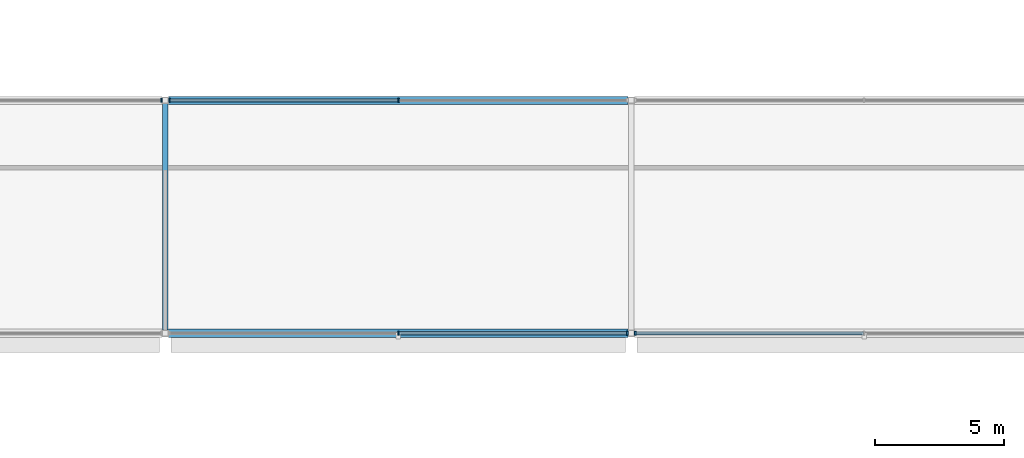
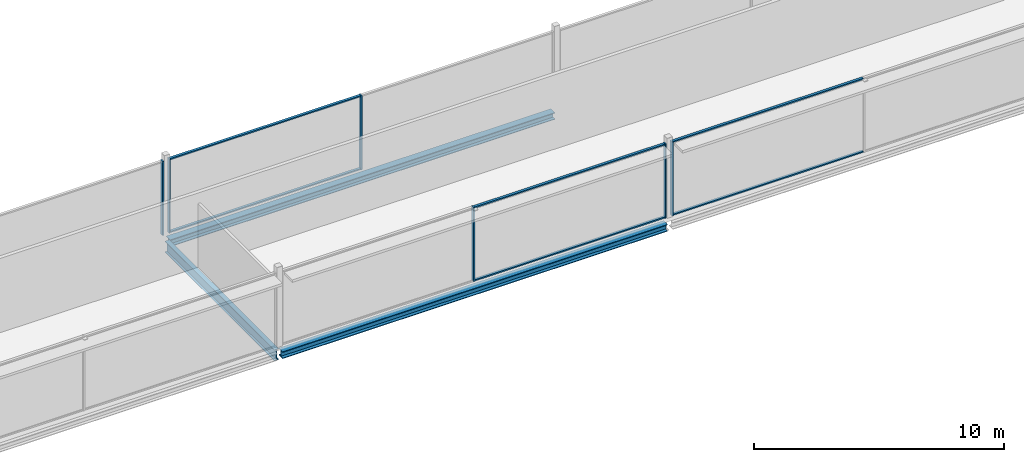
# One storey, part 37 of 98: 12 members, 3 beams, 4 elements without a shape of their own.
"""IFC4 building model written with IfcOpenShell, lengths in metres."""

import ifcopenshell
import ifcopenshell.guid

model = None  # the IFC model being written
_history = None  # IfcOwnerHistory: only IFC2X3 demands one
_inside = {}  # id of a spatial element -> (the spatial element, [elements in it])
_under = {}  # id of a project, library or spatial element -> (it, [spatial elements below it])
_declared = {}  # id of a project -> (the project, [libraries it declares])
_typed = {}  # id of a type object -> (the type object, [elements of that type])
_made_of = {}  # id of a material, layer set ... -> (it, [elements and type objects made of it])


def new_model(schema):
    """Start an empty IFC model of exactly this schema.

    Asked for "IFC4X3", IfcOpenShell would pick the latest addendum, in which some entities
    have other attributes; the version numbers below select the first issue.
    IFC2X3 requires an IfcOwnerHistory on every rooted entity: one is made here for all.
    """
    global model, _history
    if schema == "IFC4X3":
        model = ifcopenshell.file(schema_version=(4, 3, 0, 0))
    else:
        model = ifcopenshell.file(schema=schema)
    _inside.clear()
    _under.clear()
    _declared.clear()
    _typed.clear()
    _made_of.clear()
    _history = None
    if model.schema == "IFC2X3":
        org = make("IfcOrganization", Name="unknown")
        user = make(
            "IfcPersonAndOrganization",
            ThePerson=make("IfcPerson", FamilyName="unknown"),
            TheOrganization=org,
        )
        app = make(
            "IfcApplication",
            ApplicationDeveloper=org,
            Version="unknown",
            ApplicationFullName="unknown",
            ApplicationIdentifier="unknown",
        )
        _history = make(
            "IfcOwnerHistory",
            OwningUser=user,
            OwningApplication=app,
            ChangeAction="ADDED",
            CreationDate=0,
        )
    return model


def make(cls, **values):
    """One entity of the class cls with the attributes given. An attribute that is None is left unset."""
    return model.create_entity(
        cls, **{name: value for name, value in values.items() if value is not None}
    )


def rooted(cls, **values):
    """An entity with a GlobalId (a new one), such as an element, a storey or a relation."""
    return make(cls, GlobalId=ifcopenshell.guid.new(), OwnerHistory=_history, **values)


def si_unit(unit_type, name, prefix=None):
    """IfcSIUnit, for example si_unit("LENGTHUNIT", "METRE", prefix="MILLI")."""
    return make("IfcSIUnit", UnitType=unit_type, Prefix=prefix, Name=name)


def assignment(units):
    """IfcUnitAssignment: the units of a project."""
    return None if units is None else make("IfcUnitAssignment", Units=units)


def point(xyz):
    """IfcCartesianPoint."""
    return None if xyz is None else make("IfcCartesianPoint", Coordinates=xyz)


def direction(xyz):
    """IfcDirection."""
    return None if xyz is None else make("IfcDirection", DirectionRatios=xyz)


def frame(location, z_axis=None, x_axis=None):
    """IfcAxis2Placement3D, a coordinate frame: its origin and axes. An axis left out is left unset."""
    return make(
        "IfcAxis2Placement3D",
        Location=point(location),
        Axis=direction(z_axis),
        RefDirection=direction(x_axis),
    )


def frame_2d(location, x_axis=None):
    """IfcAxis2Placement2D, a coordinate frame in the plane: its origin and x axis."""
    return make(
        "IfcAxis2Placement2D", Location=point(location), RefDirection=direction(x_axis)
    )


def origin():
    """The frame at (0, 0, 0) with its axes left unset."""
    return frame((0.0, 0.0, 0.0))


def origin_2d():
    """The frame at (0, 0) in the plane with its x axis left unset."""
    return frame_2d((0.0, 0.0))


def place(relative_to, where):
    """IfcLocalPlacement: puts the frame where relative to a parent placement (None: the world)."""
    return make(
        "IfcLocalPlacement", PlacementRelTo=relative_to, RelativePlacement=where
    )


def context(
    kind, dimensions, precision=None, world=None, true_north=None, identifier=None
):
    """IfcGeometricRepresentationContext, for example the 3D "Model" context."""
    return make(
        "IfcGeometricRepresentationContext",
        ContextIdentifier=identifier,
        ContextType=kind,
        CoordinateSpaceDimension=dimensions,
        Precision=precision,
        WorldCoordinateSystem=world,
        TrueNorth=true_north,
    )


def subcontext(parent, identifier, kind, view, scale=None):
    """IfcGeometricRepresentationSubContext, for example "Body" below "Model"."""
    return make(
        "IfcGeometricRepresentationSubContext",
        ContextIdentifier=identifier,
        ContextType=kind,
        ParentContext=parent,
        TargetScale=scale,
        TargetView=view,
    )


def project(units=None, contexts=None):
    """IfcProject with its units and contexts."""
    return rooted(
        "IfcProject",
        Name="project",
        RepresentationContexts=contexts,
        UnitsInContext=assignment(units),
    )


def spatial(cls, under=None, at=None, **own):
    """A site, building, storey or space (cls), placed at a placement, below another one or the project."""
    s = rooted(cls, ObjectPlacement=at, **own)
    if under is not None:
        _under.setdefault(under.id(), (under, []))[1].append(s)
    return s


def profile(cls, at=None, kind="AREA", **sizes):
    """A parametric profile (cls). Its sizes go by their IFC names, for example OverallWidth=200.0."""
    return make(cls, ProfileType=kind, Position=at, **sizes)


def rectangle(**sizes):
    """IfcRectangleProfileDef."""
    return profile("IfcRectangleProfileDef", **sizes)


def i_section(**sizes):
    """IfcIShapeProfileDef."""
    return profile("IfcIShapeProfileDef", **sizes)


def extrude(swept, where, along, depth):
    """IfcExtrudedAreaSolid: the profile swept, set in the frame where, extruded along a direction by depth."""
    return make(
        "IfcExtrudedAreaSolid",
        SweptArea=swept,
        Position=where,
        ExtrudedDirection=direction(along),
        Depth=depth,
    )


def shape(context_of_items, identifier, shape_type, items):
    """IfcShapeRepresentation: the items that make up one representation, for example the "Body"."""
    return make(
        "IfcShapeRepresentation",
        ContextOfItems=context_of_items,
        RepresentationIdentifier=identifier,
        RepresentationType=shape_type,
        Items=items,
    )


def material(Name=None, Category=None):
    """IfcMaterial."""
    return make("IfcMaterial", Name=Name, Category=Category)


def layer(
    of_material, thickness, ventilated=None, Name=None, Category=None, Priority=None
):
    """IfcMaterialLayer: one layer of a wall or slab, of a material (None: an air gap)."""
    return make(
        "IfcMaterialLayer",
        Material=of_material,
        LayerThickness=thickness,
        IsVentilated=ventilated,
        Name=Name,
        Category=Category,
        Priority=Priority,
    )


def layer_set(layers, Name=None):
    """IfcMaterialLayerSet."""
    return make("IfcMaterialLayerSet", MaterialLayers=layers, LayerSetName=Name)


def material_profile(
    of_material, cross_section, Name=None, Category=None, Priority=None
):
    """IfcMaterialProfile: a cross section and its material."""
    return make(
        "IfcMaterialProfile",
        Name=Name,
        Material=of_material,
        Profile=cross_section,
        Priority=Priority,
        Category=Category,
    )


def profile_set(profiles, Name=None, composite=None):
    """IfcMaterialProfileSet."""
    return make(
        "IfcMaterialProfileSet",
        Name=Name,
        MaterialProfiles=profiles,
        CompositeProfile=composite,
    )


def made_of(thing, what):
    """Note that an element or type object is made of a material, layer set ...; save() writes the relation."""
    if what is not None:
        _made_of.setdefault(what.id(), (what, []))[1].append(thing)
    return thing


def type_object(cls, material=None, **own):
    """A type object (cls), such as IfcWallType, which elements share."""
    return made_of(rooted(cls, **own), material)


def element(
    cls,
    number,
    at=None,
    inside=None,
    cuts=None,
    type_object=None,
    material=None,
    context=None,
    identifier="Body",
    shape_type=None,
    held_by="IfcProductDefinitionShape",
    body=None,
    shapes=None,
    **own,
):
    """One element of the class cls, such as IfcWall. Its Tag is "e" and its number.

    at: its placement. inside: the storey or other place that contains it. cuts: it is an
    opening in that element (IfcRelVoidsElement). A single representation is given by context,
    identifier, shape_type and body (its items); several are given by shapes. held_by: the class
    of the entity that holds the representations. save() writes the other relations.
    """
    e = rooted(cls, Tag="e%d" % number, ObjectPlacement=at, **own)
    if body is not None:
        shapes = [shape(context, identifier, shape_type, body)]
    if shapes is not None:
        e.Representation = make(held_by, Representations=shapes)
    if inside is not None:
        _inside.setdefault(inside.id(), (inside, []))[1].append(e)
    if cuts is not None:
        rooted(
            "IfcRelVoidsElement", RelatingBuildingElement=cuts, RelatedOpeningElement=e
        )
    if type_object is not None:
        _typed.setdefault(type_object.id(), (type_object, []))[1].append(e)
    return made_of(e, material)


def aggregate(whole, parts):
    """IfcRelAggregates: a whole, such as a stair, and the parts it consists of."""
    return rooted("IfcRelAggregates", RelatingObject=whole, RelatedObjects=parts)


def save(model, path):
    """Write the relations noted so far, then the file.

    IfcRelAggregates (storeys below a building ...), IfcRelContainedInSpatialStructure (elements
    in a storey), IfcRelDefinesByType, IfcRelAssociatesMaterial and IfcRelDeclares: one each for
    every whole, place, type object, material and project.
    """
    for whole, parts in _under.values():
        aggregate(whole, parts)
    for where, things in _inside.values():
        rooted(
            "IfcRelContainedInSpatialStructure",
            RelatedElements=things,
            RelatingStructure=where,
        )
    for kind, things in _typed.values():
        rooted("IfcRelDefinesByType", RelatedObjects=things, RelatingType=kind)
    for what, things in _made_of.values():
        rooted("IfcRelAssociatesMaterial", RelatedObjects=things, RelatingMaterial=what)
    for by, libraries in _declared.values():
        rooted("IfcRelDeclares", RelatingContext=by, RelatedDefinitions=libraries)
    model.write(path)


model = new_model("IFC4")

# Units and contexts
model_context = context("Model", 3, precision=1e-05, world=origin(), true_north=direction((0.0, 1.0)))
body_context = subcontext(model_context, "Body", "Model", "MODEL_VIEW")
ifc_project = project(units=[si_unit("LENGTHUNIT", "METRE"), si_unit("AREAUNIT", "SQUARE_METRE"), si_unit("VOLUMEUNIT", "CUBIC_METRE"), si_unit("PLANEANGLEUNIT", "RADIAN"), si_unit("MASSUNIT", "GRAM", prefix="KILO")], contexts=[model_context])

# Site, building, storey
site_placement = place(None, origin())
site = spatial("IfcSite", under=ifc_project, at=site_placement, CompositionType="ELEMENT")
building_placement = place(site_placement, origin())
building = spatial("IfcBuilding", under=site, at=building_placement, Name="Kisiwana Market Hall", CompositionType="ELEMENT")
storey_placement = place(building_placement, frame((0.0, 0.0, 29.39990234375)))
storey = spatial("IfcBuildingStorey", under=building, at=storey_placement, Name="L06", CompositionType="ELEMENT", Elevation=29.39990234375)

# Beams
ifc_material_1 = material(Name="Steel S355", Category="steel")
ifc_material_profile_1 = material_profile(ifc_material_1, i_section(OverallWidth=0.209228515625, OverallDepth=0.533203125, WebThickness=0.010009765625, FlangeThickness=0.015625, at=origin_2d()), Name="UB 533x210x92")
ifc_profile_set_1 = profile_set([ifc_material_profile_1], Name="Steel S355")
beam_type_1 = type_object("IfcBeamType", Name="BM-GIRD-UB533", PredefinedType="BEAM", material=ifc_profile_set_1)
beam_placement = place(storey_placement, frame((99.0, 93.12109375, -0.531494140625), z_axis=(0.0, 1.0, 0.0), x_axis=(-1.0, 0.0, 0.0)))
element("IfcBeam", 1, at=beam_placement, inside=storey, type_object=beam_type_1, Name="Primary girder B-1724", PredefinedType="BEAM", context=body_context, shape_type="SweptSolid", body=[
    extrude(i_section(OverallWidth=0.209228515625, OverallDepth=0.533203125, WebThickness=0.010009765625, FlangeThickness=0.015625, at=origin_2d()), origin(), (0.0, 0.0, 1.0), 8.7578125),
])
ifc_material_2 = material(Name="Steel S355", Category="steel")
ifc_material_profile_2 = material_profile(ifc_material_2, i_section(OverallWidth=0.314453125, OverallDepth=0.33984375, WebThickness=0.01904296875, FlangeThickness=0.031494140625, at=origin_2d()), Name="UC 305x305x198")
ifc_profile_set_2 = profile_set([ifc_material_profile_2], Name="Steel S355")
beam_type_2 = type_object("IfcBeamType", Name="BM-SKYBR-CHORD", PredefinedType="BEAM", material=ifc_profile_set_2)
for number, where, z_axis, x_axis, name in (
    (2, (99.12109375, 93.0, -0.434814453125), (1.0, 0.0, 0.0), (0.0, 1.0, 0.0), "Floor beam B-1824"),
    (3, (99.12109375, 102.0, -0.434814453125), (1.0, 0.0, 0.0), (0.0, 1.0, 0.0), "Floor beam B-1834"),
):
    element("IfcBeam", number, at=place(storey_placement, frame(where, z_axis=z_axis, x_axis=x_axis)), inside=storey, type_object=beam_type_2, Name=name, PredefinedType="BEAM", context=body_context, shape_type="SweptSolid", body=[
        extrude(i_section(OverallWidth=0.314453125, OverallDepth=0.33984375, WebThickness=0.01904296875, FlangeThickness=0.031494140625, at=origin_2d()), origin(), (0.0, 0.0, 1.0), 17.7578125),
    ])

# Curtain wall, members
ifc_material_3 = material(Name="Double-glazed solar-control low-E IGU", Category="glass")
ifc_layer = layer(ifc_material_3, 0.159912109375)
ifc_layer_set = layer_set([ifc_layer], Name="CW-ZNA-EW-8200")
curtain_wall_type = type_object("IfcCurtainWallType", Name="CW-ZNA-EW-8200", PredefinedType="USERDEFINED", material=ifc_layer_set)
curtain_wall_1_placement = place(storey_placement, origin())
curtain_wall_1 = element("IfcCurtainWall", 4, at=curtain_wall_1_placement, inside=storey, type_object=curtain_wall_type, Name="Unitised curtain wall CW-187 (L06)", ObjectType="UNITISED CURTAIN WALL", PredefinedType="USERDEFINED")
ifc_material_4 = material(Name="Aluminium alloy 6063-T6", Category="aluminium")
ifc_material_profile_3 = material_profile(ifc_material_4, rectangle(XDim=0.06005859375, YDim=0.159912109375, at=origin_2d()), Name="ALU MULLION 60x160")
ifc_profile_set_3 = profile_set([ifc_material_profile_3], Name="Aluminium alloy 6063-T6")
member_type_1 = type_object("IfcMemberType", Name="CW-MULL-60x160", PredefinedType="MULLION", material=ifc_profile_set_3)
member_1_placement = place(storey_placement, frame((108.0, 93.0, 0.0), z_axis=(0.0, 0.0, 1.0), x_axis=(1.0, 0.0, 0.0)))
member_1 = element("IfcMember", 5, at=member_1_placement, type_object=member_type_1, Name="CW-187 mullion 2", PredefinedType="MULLION", context=body_context, shape_type="SweptSolid", body=[
    extrude(rectangle(XDim=0.06005859375, YDim=0.159912109375, at=origin_2d()), origin(), (0.0, 0.0, 1.0), 3.6201171875),
])
member_2_placement = place(storey_placement, frame((116.844970703125, 93.0, 0.0), z_axis=(0.0, 0.0, 1.0), x_axis=(1.0, 0.0, 0.0)))
member_2 = element("IfcMember", 6, at=member_2_placement, type_object=member_type_1, Name="CW-187 mullion 3", PredefinedType="MULLION", context=body_context, shape_type="SweptSolid", body=[
    extrude(rectangle(XDim=0.06005859375, YDim=0.159912109375, at=origin_2d()), origin(), (0.0, 0.0, 1.0), 3.6201171875),
])

# Curtain wall, member
curtain_wall_2_placement = place(storey_placement, origin())
curtain_wall_2 = element("IfcCurtainWall", 7, at=curtain_wall_2_placement, inside=storey, type_object=curtain_wall_type, Name="Unitised curtain wall CW-188 (L06)", ObjectType="UNITISED CURTAIN WALL", PredefinedType="USERDEFINED")
member_3_placement = place(storey_placement, frame((117.155029296875, 93.0, 0.0), z_axis=(0.0, 0.0, 1.0), x_axis=(1.0, 0.0, 0.0)))
member_3 = element("IfcMember", 8, at=member_3_placement, type_object=member_type_1, Name="CW-188 mullion 1", PredefinedType="MULLION", context=body_context, shape_type="SweptSolid", body=[
    extrude(rectangle(XDim=0.06005859375, YDim=0.159912109375, at=origin_2d()), origin(), (0.0, 0.0, 1.0), 3.6201171875),
])

curtain_wall_3_placement = place(storey_placement, origin())
curtain_wall_3 = element("IfcCurtainWall", 9, at=curtain_wall_3_placement, inside=storey, type_object=curtain_wall_type, Name="Unitised curtain wall CW-192 (L06)", ObjectType="UNITISED CURTAIN WALL", PredefinedType="USERDEFINED")
member_4_placement = place(storey_placement, frame((98.844970703125, 102.0, 0.0), z_axis=(0.0, 0.0, 1.0), x_axis=(1.0, 0.0, 0.0)))
member_4 = element("IfcMember", 10, at=member_4_placement, type_object=member_type_1, Name="CW-192 mullion 3", PredefinedType="MULLION", context=body_context, shape_type="SweptSolid", body=[
    extrude(rectangle(XDim=0.06005859375, YDim=0.159912109375, at=origin_2d()), origin(), (0.0, 0.0, 1.0), 3.6201171875),
])
aggregate(curtain_wall_3, [member_4])

# Curtain wall, members
curtain_wall_4_placement = place(storey_placement, origin())
curtain_wall_4 = element("IfcCurtainWall", 11, at=curtain_wall_4_placement, inside=storey, type_object=curtain_wall_type, Name="Unitised curtain wall CW-193 (L06)", ObjectType="UNITISED CURTAIN WALL", PredefinedType="USERDEFINED")
member_5_placement = place(storey_placement, frame((99.155029296875, 102.0, 0.0), z_axis=(0.0, 0.0, 1.0), x_axis=(1.0, 0.0, 0.0)))
member_5 = element("IfcMember", 12, at=member_5_placement, type_object=member_type_1, Name="CW-193 mullion 1", PredefinedType="MULLION", context=body_context, shape_type="SweptSolid", body=[
    extrude(rectangle(XDim=0.06005859375, YDim=0.159912109375, at=origin_2d()), origin(), (0.0, 0.0, 1.0), 3.6201171875),
])
member_6_placement = place(storey_placement, frame((108.0, 102.0, 0.0), z_axis=(0.0, 0.0, 1.0), x_axis=(1.0, 0.0, 0.0)))
member_6 = element("IfcMember", 13, at=member_6_placement, type_object=member_type_1, Name="CW-193 mullion 2", PredefinedType="MULLION", context=body_context, shape_type="SweptSolid", body=[
    extrude(rectangle(XDim=0.06005859375, YDim=0.159912109375, at=origin_2d()), origin(), (0.0, 0.0, 1.0), 3.6201171875),
])

# Member
ifc_material_5 = material(Name="Aluminium alloy 6063-T6", Category="aluminium")
ifc_material_profile_4 = material_profile(ifc_material_5, rectangle(XDim=0.1201171875, YDim=0.06005859375, at=origin_2d()), Name="ALU TRANSOM 60x120")
ifc_profile_set_4 = profile_set([ifc_material_profile_4], Name="Aluminium alloy 6063-T6")
member_type_2 = type_object("IfcMemberType", Name="CW-TRAN-60x120", PredefinedType="USERDEFINED", material=ifc_profile_set_4)
member_7_placement = place(storey_placement, frame((108.030029296875, 93.0, 0.030029296875), z_axis=(1.0, 0.0, 0.0), x_axis=(0.0, 1.0, 0.0)))
member_7 = element("IfcMember", 14, at=member_7_placement, type_object=member_type_2, Name="CW-187 transom 2.1", ObjectType="TRANSOM", PredefinedType="USERDEFINED", context=body_context, shape_type="SweptSolid", body=[
    extrude(rectangle(XDim=0.1201171875, YDim=0.06005859375, at=origin_2d()), origin(), (0.0, 0.0, 1.0), 8.784912109375),
])

member_8_placement = place(storey_placement, frame((108.030029296875, 93.0, 3.590087890625), z_axis=(1.0, 0.0, 0.0), x_axis=(0.0, 1.0, 0.0)))
member_8 = element("IfcMember", 15, at=member_8_placement, type_object=member_type_2, Name="CW-187 transom 2.2", ObjectType="TRANSOM", PredefinedType="USERDEFINED", context=body_context, shape_type="SweptSolid", body=[
    extrude(rectangle(XDim=0.1201171875, YDim=0.06005859375, at=origin_2d()), origin(), (0.0, 0.0, 1.0), 8.784912109375),
])

aggregate(curtain_wall_1, [member_1, member_2, member_7, member_8])

member_9_placement = place(storey_placement, frame((117.18505859375, 93.0, 0.030029296875), z_axis=(1.0, 0.0, 0.0), x_axis=(0.0, 1.0, 0.0)))
member_9 = element("IfcMember", 16, at=member_9_placement, type_object=member_type_2, Name="CW-188 transom 1.1", ObjectType="TRANSOM", PredefinedType="USERDEFINED", context=body_context, shape_type="SweptSolid", body=[
    extrude(rectangle(XDim=0.1201171875, YDim=0.06005859375, at=origin_2d()), origin(), (0.0, 0.0, 1.0), 8.784912109375),
])

member_10_placement = place(storey_placement, frame((117.18505859375, 93.0, 3.590087890625), z_axis=(1.0, 0.0, 0.0), x_axis=(0.0, 1.0, 0.0)))
member_10 = element("IfcMember", 17, at=member_10_placement, type_object=member_type_2, Name="CW-188 transom 1.2", ObjectType="TRANSOM", PredefinedType="USERDEFINED", context=body_context, shape_type="SweptSolid", body=[
    extrude(rectangle(XDim=0.1201171875, YDim=0.06005859375, at=origin_2d()), origin(), (0.0, 0.0, 1.0), 8.784912109375),
])

aggregate(curtain_wall_2, [member_3, member_9, member_10])

member_11_placement = place(storey_placement, frame((99.18505859375, 102.0, 0.030029296875), z_axis=(1.0, 0.0, 0.0), x_axis=(0.0, 1.0, 0.0)))
member_11 = element("IfcMember", 18, at=member_11_placement, type_object=member_type_2, Name="CW-193 transom 1.1", ObjectType="TRANSOM", PredefinedType="USERDEFINED", context=body_context, shape_type="SweptSolid", body=[
    extrude(rectangle(XDim=0.1201171875, YDim=0.06005859375, at=origin_2d()), origin(), (0.0, 0.0, 1.0), 8.784912109375),
])

member_12_placement = place(storey_placement, frame((99.18505859375, 102.0, 3.590087890625), z_axis=(1.0, 0.0, 0.0), x_axis=(0.0, 1.0, 0.0)))
member_12 = element("IfcMember", 19, at=member_12_placement, type_object=member_type_2, Name="CW-193 transom 1.2", ObjectType="TRANSOM", PredefinedType="USERDEFINED", context=body_context, shape_type="SweptSolid", body=[
    extrude(rectangle(XDim=0.1201171875, YDim=0.06005859375, at=origin_2d()), origin(), (0.0, 0.0, 1.0), 8.784912109375),
])

aggregate(curtain_wall_4, [member_5, member_6, member_11, member_12])

save(model, "model.ifc")
